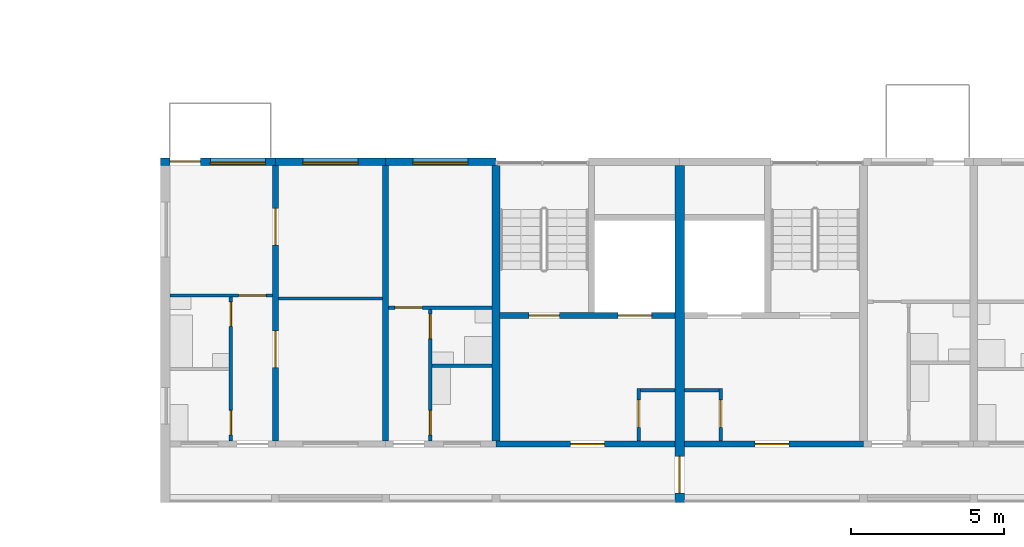
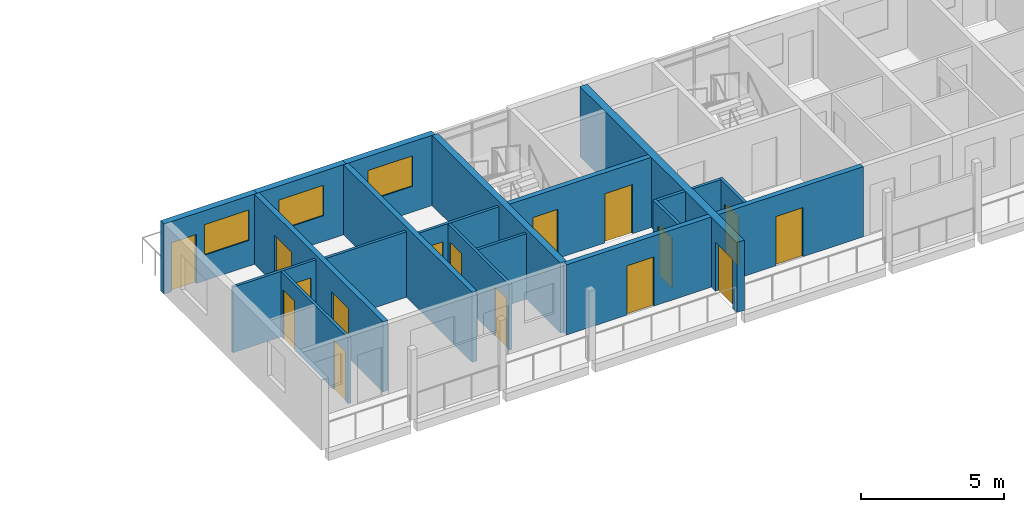
# One storey, part 44 of 99: 20 walls, 16 doors, 3 windows, 19 openings.
"""IFC4 building model written with IfcOpenShell, lengths in metres."""

from ifc_helpers import new_model, si_unit, direction, frame, frame_2d, origin, place, context, subcontext, project, spatial, rectangle, extrude, material, layer, layer_set, type_object, element, fill, save


model = new_model("IFC4")

# Units and contexts
model_context = context("Model", 3, precision=1e-05, world=origin(), true_north=direction((0.0, 1.0)))
body_context = subcontext(model_context, "Body", "Model", "MODEL_VIEW")
ifc_project = project(units=[si_unit("LENGTHUNIT", "METRE"), si_unit("AREAUNIT", "SQUARE_METRE"), si_unit("VOLUMEUNIT", "CUBIC_METRE"), si_unit("PLANEANGLEUNIT", "RADIAN"), si_unit("MASSUNIT", "GRAM", prefix="KILO")], contexts=[model_context])

# Site, building, storey
site_placement = place(None, origin())
site = spatial("IfcSite", under=ifc_project, at=site_placement, CompositionType="ELEMENT")
building_placement = place(site_placement, origin())
building = spatial("IfcBuilding", under=site, at=building_placement, Name="Ridgestep Commons", CompositionType="ELEMENT")
storey_placement = place(building_placement, frame((0.0, 0.0, 15.0)))
storey = spatial("IfcBuildingStorey", under=building, at=storey_placement, Name="L05", CompositionType="ELEMENT", Elevation=15.0)

# Wall
ifc_material_1 = material(Name="Concrete C30/37", Category="concrete")
ifc_layer_1 = layer(ifc_material_1, 0.25)
ifc_layer_set_1 = layer_set([ifc_layer_1], Name="Core cross wall 250")
wall_type_1 = type_object("IfcWallType", Name="Core cross wall 250", PredefinedType="SHEAR", material=ifc_layer_set_1)
wall_1_placement = place(storey_placement, frame((157.60009765625, 13.75, 0.0), z_axis=(0.0, 0.0, 1.0), x_axis=(0.0, 1.0, 0.0)))
element("IfcWall", 1, at=wall_1_placement, inside=storey, type_object=wall_type_1, Name="Cross wall D-05-1576", PredefinedType="SHEAR", context=body_context, shape_type="SweptSolid", body=[
    extrude(rectangle(XDim=9.0, YDim=0.25, at=frame_2d((4.5, 0.0))), origin(), (0.0, 0.0, 1.0), 3.0),
])

# Wall, opening, door
ifc_material_2 = material(Name="Concrete C30/37", Category="concrete")
ifc_layer_2 = layer(ifc_material_2, 0.199951171875)
ifc_layer_set_2 = layer_set([ifc_layer_2], Name="Core south wall 200")
wall_type_2 = type_object("IfcWallType", Name="Core south wall 200", PredefinedType="SHEAR", material=ifc_layer_set_2)
wall_2_placement = place(storey_placement, frame((157.60009765625, 13.64990234375, 0.0), z_axis=(0.0, 0.0, 1.0), x_axis=(1.0, 0.0, 0.0)))
wall_2 = element("IfcWall", 2, at=wall_2_placement, inside=storey, type_object=wall_type_2, Name="Core south wall D1C L05", PredefinedType="SHEAR", context=body_context, shape_type="SweptSolid", body=[
    extrude(rectangle(XDim=5.849853515625, YDim=0.199951171875, at=frame_2d((2.9248046875, 0.0))), origin(), (0.0, 0.0, 1.0), 3.0),
])
opening_1_placement = place(wall_2_placement, frame((2.4375, 0.0, 0.0)))
opening_1 = element("IfcOpeningElement", 3, at=opening_1_placement, cuts=wall_2, Name="Opening D1C/05/1", PredefinedType="OPENING", context=body_context, shape_type="SweptSolid", body=[
    extrude(rectangle(XDim=1.10009765625, YDim=2.10009765625, at=frame_2d((0.550048828125, 1.050048828125))), frame((0.0, 0.10986328125, 0.0), z_axis=(0.0, -1.0, 0.0), x_axis=(1.0, 0.0, 0.0)), (0.0, 0.0, 1.0), 0.219970703125),
])
ifc_material_3 = material(Name="Steel fire door", Category="steel")
door_type_1 = type_object("IfcDoorType", Name="Lobby door 1100 x 2100 FD60", OperationType="NOTDEFINED", PredefinedType="DOOR", material=ifc_material_3)
door_1_placement = place(opening_1_placement, origin())
door_1 = element("IfcDoor", 4, at=door_1_placement, inside=storey, type_object=door_type_1, Name="Lobby door D1C/05/1", OperationType="SINGLE_SWING_LEFT", OverallHeight=2.10009765625, OverallWidth=1.10009765625, PredefinedType="DOOR", context=body_context, shape_type="SweptSolid", body=[
    extrude(rectangle(XDim=1.10009765625, YDim=2.10009765625, at=frame_2d((0.550048828125, 1.050048828125))), frame((0.0, 0.02490234375, 0.0), z_axis=(0.0, -1.0, 0.0), x_axis=(1.0, 0.0, 0.0)), (0.0, 0.0, 1.0), 0.050048828125),
])
fill(opening_1, door_1)

wall_3_placement = place(storey_placement, frame((163.75, 13.64990234375, 0.0), z_axis=(0.0, 0.0, 1.0), x_axis=(1.0, 0.0, 0.0)))
wall_3 = element("IfcWall", 5, at=wall_3_placement, inside=storey, type_object=wall_type_2, Name="Core south wall D2C L05", PredefinedType="SHEAR", context=body_context, shape_type="SweptSolid", body=[
    extrude(rectangle(XDim=5.85009765625, YDim=0.199951171875, at=frame_2d((2.925048828125, 0.0))), origin(), (0.0, 0.0, 1.0), 3.0),
])
opening_2_placement = place(wall_3_placement, frame((2.3125, 0.0, 0.0)))
opening_2 = element("IfcOpeningElement", 6, at=opening_2_placement, cuts=wall_3, Name="Opening D2C/05/1", PredefinedType="OPENING", context=body_context, shape_type="SweptSolid", body=[
    extrude(rectangle(XDim=1.10009765625, YDim=2.10009765625, at=frame_2d((0.550048828125, 1.050048828125))), frame((0.0, 0.10986328125, 0.0), z_axis=(0.0, -1.0, 0.0), x_axis=(1.0, 0.0, 0.0)), (0.0, 0.0, 1.0), 0.219970703125),
])
door_2_placement = place(opening_2_placement, origin())
door_2 = element("IfcDoor", 7, at=door_2_placement, inside=storey, type_object=door_type_1, Name="Lobby door D2C/05/1", OperationType="SINGLE_SWING_LEFT", OverallHeight=2.10009765625, OverallWidth=1.10009765625, PredefinedType="DOOR", context=body_context, shape_type="SweptSolid", body=[
    extrude(rectangle(XDim=1.10009765625, YDim=2.10009765625, at=frame_2d((0.550048828125, 1.050048828125))), frame((0.0, 0.02490234375, 0.0), z_axis=(0.0, -1.0, 0.0), x_axis=(1.0, 0.0, 0.0)), (0.0, 0.0, 1.0), 0.050048828125),
])
fill(opening_2, door_2)

ifc_material_4 = material(Name="Concrete C30/37", Category="concrete")
ifc_layer_3 = layer(ifc_material_4, 0.1201171875)
ifc_layer_set_3 = layer_set([ifc_layer_3], Name="Core wall 120")
wall_type_3 = type_object("IfcWallType", Name="Core wall 120", PredefinedType="SHEAR", material=ifc_layer_set_3)
wall_4_placement = place(storey_placement, frame((162.260009765625, 13.75, 0.0), z_axis=(0.0, 0.0, 1.0), x_axis=(0.0, 1.0, 0.0)))
wall_4 = element("IfcWall", 8, at=wall_4_placement, inside=storey, type_object=wall_type_3, Name="Core riser w wall D1C L05", PredefinedType="SHEAR", context=body_context, shape_type="SweptSolid", body=[
    extrude(rectangle(XDim=1.719970703125, YDim=0.1201171875, at=frame_2d((0.85986328125, 0.0))), origin(), (0.0, 0.0, 1.0), 3.0),
])
opening_3_placement = place(wall_4_placement, frame((0.449951171875, 0.0, 0.0)))
opening_3 = element("IfcOpeningElement", 9, at=opening_3_placement, cuts=wall_4, Name="Opening D1C/05/4", PredefinedType="OPENING", context=body_context, shape_type="SweptSolid", body=[
    extrude(rectangle(XDim=0.89990234375, YDim=2.10009765625, at=frame_2d((0.449951171875, 1.050048828125))), frame((0.0, 0.070068359375, 0.0), z_axis=(0.0, -1.0, 0.0), x_axis=(1.0, 0.0, 0.0)), (0.0, 0.0, 1.0), 0.14013671875),
])
ifc_material_5 = material(Name="Steel fire door", Category="steel")
door_type_2 = type_object("IfcDoorType", Name="Riser door 900 x 2100 FD60", OperationType="NOTDEFINED", PredefinedType="DOOR", material=ifc_material_5)
door_3_placement = place(opening_3_placement, origin())
door_3 = element("IfcDoor", 10, at=door_3_placement, inside=storey, type_object=door_type_2, Name="Riser door D1C/05/4", OperationType="SINGLE_SWING_LEFT", OverallHeight=2.10009765625, OverallWidth=0.89990234375, PredefinedType="DOOR", context=body_context, shape_type="SweptSolid", body=[
    extrude(rectangle(XDim=0.89990234375, YDim=2.10009765625, at=frame_2d((0.449951171875, 1.050048828125))), frame((0.0, 0.02490234375, 0.0), z_axis=(0.0, -1.0, 0.0), x_axis=(1.0, 0.0, 0.0)), (0.0, 0.0, 1.0), 0.050048828125),
])
fill(opening_3, door_3)

# Wall
wall_5_placement = place(storey_placement, frame((162.320068359375, 15.409912109375, 0.0), z_axis=(0.0, 0.0, 1.0), x_axis=(1.0, 0.0, 0.0)))
element("IfcWall", 11, at=wall_5_placement, inside=storey, type_object=wall_type_3, Name="Core riser n wall D1C L05", PredefinedType="SHEAR", context=body_context, shape_type="SweptSolid", body=[
    extrude(rectangle(XDim=1.1298828125, YDim=0.1201171875, at=frame_2d((0.56494140625, 0.0))), origin(), (0.0, 0.0, 1.0), 3.0),
])

# Wall, opening, door
wall_6_placement = place(storey_placement, frame((164.93994140625, 13.75, 0.0), z_axis=(0.0, 0.0, 1.0), x_axis=(0.0, 1.0, 0.0)))
wall_6 = element("IfcWall", 12, at=wall_6_placement, inside=storey, type_object=wall_type_3, Name="Core riser w wall D2C L05", PredefinedType="SHEAR", context=body_context, shape_type="SweptSolid", body=[
    extrude(rectangle(XDim=1.719970703125, YDim=0.1201171875, at=frame_2d((0.85986328125, 0.0))), origin(), (0.0, 0.0, 1.0), 3.0),
])
opening_4_placement = place(wall_6_placement, frame((0.449951171875, 0.0, 0.0)))
opening_4 = element("IfcOpeningElement", 13, at=opening_4_placement, cuts=wall_6, Name="Opening D2C/05/4", PredefinedType="OPENING", context=body_context, shape_type="SweptSolid", body=[
    extrude(rectangle(XDim=0.89990234375, YDim=2.10009765625, at=frame_2d((0.449951171875, 1.050048828125))), frame((0.0, 0.070068359375, 0.0), z_axis=(0.0, -1.0, 0.0), x_axis=(1.0, 0.0, 0.0)), (0.0, 0.0, 1.0), 0.14013671875),
])
door_4_placement = place(opening_4_placement, origin())
door_4 = element("IfcDoor", 14, at=door_4_placement, inside=storey, type_object=door_type_2, Name="Riser door D2C/05/4", OperationType="SINGLE_SWING_RIGHT", OverallHeight=2.10009765625, OverallWidth=0.89990234375, PredefinedType="DOOR", context=body_context, shape_type="SweptSolid", body=[
    extrude(rectangle(XDim=0.89990234375, YDim=2.10009765625, at=frame_2d((0.449951171875, 1.050048828125))), frame((0.0, 0.02490234375, 0.0), z_axis=(0.0, -1.0, 0.0), x_axis=(1.0, 0.0, 0.0)), (0.0, 0.0, 1.0), 0.050048828125),
])
fill(opening_4, door_4)

# Wall
wall_7_placement = place(storey_placement, frame((163.75, 15.409912109375, 0.0), z_axis=(0.0, 0.0, 1.0), x_axis=(1.0, 0.0, 0.0)))
element("IfcWall", 15, at=wall_7_placement, inside=storey, type_object=wall_type_3, Name="Core riser n wall D2C L05", PredefinedType="SHEAR", context=body_context, shape_type="SweptSolid", body=[
    extrude(rectangle(XDim=1.1298828125, YDim=0.1201171875, at=frame_2d((0.56494140625, 0.0))), origin(), (0.0, 0.0, 1.0), 3.0),
])

# Wall, openings, doors
ifc_material_6 = material(Name="Concrete C30/37", Category="concrete")
ifc_layer_4 = layer(ifc_material_6, 0.199951171875)
ifc_layer_set_4 = layer_set([ifc_layer_4], Name="Core wall 200")
wall_type_4 = type_object("IfcWallType", Name="Core wall 200", PredefinedType="SHEAR", material=ifc_layer_set_4)
wall_8_placement = place(storey_placement, frame((157.72509765625, 17.85009765625, 0.0), z_axis=(0.0, 0.0, 1.0), x_axis=(1.0, 0.0, 0.0)))
wall_8 = element("IfcWall", 16, at=wall_8_placement, inside=storey, type_object=wall_type_4, Name="Core lobby wall D1C L05", PredefinedType="SHEAR", context=body_context, shape_type="SweptSolid", body=[
    extrude(rectangle(XDim=5.724853515625, YDim=0.199951171875, at=frame_2d((2.8623046875, 0.0))), origin(), (0.0, 0.0, 1.0), 3.0),
])
opening_5_placement = place(wall_8_placement, frame((0.949951171875, 0.0, 0.0)))
opening_5 = element("IfcOpeningElement", 17, at=opening_5_placement, cuts=wall_8, Name="Opening D1C/05/2", PredefinedType="OPENING", context=body_context, shape_type="SweptSolid", body=[
    extrude(rectangle(XDim=1.0, YDim=2.10009765625, at=frame_2d((0.5, 1.050048828125))), frame((0.0, 0.10986328125, 0.0), z_axis=(0.0, -1.0, 0.0), x_axis=(1.0, 0.0, 0.0)), (0.0, 0.0, 1.0), 0.219970703125),
])
opening_6_placement = place(wall_8_placement, frame((3.862548828125, 0.0, 0.0)))
opening_6 = element("IfcOpeningElement", 18, at=opening_6_placement, cuts=wall_8, Name="Opening D1C/05/3", PredefinedType="OPENING", context=body_context, shape_type="SweptSolid", body=[
    extrude(rectangle(XDim=1.10009765625, YDim=2.10009765625, at=frame_2d((0.550048828125, 1.050048828125))), frame((0.0, 0.10986328125, 0.0), z_axis=(0.0, -1.0, 0.0), x_axis=(1.0, 0.0, 0.0)), (0.0, 0.0, 1.0), 0.219970703125),
])
ifc_material_7 = material(Name="Stainless steel", Category="steel")
door_type_3 = type_object("IfcDoorType", Name="Lift landing door 1100 x 2100 FD60", OperationType="DOUBLE_DOOR_SLIDING", PredefinedType="DOOR", material=ifc_material_7)
door_5_placement = place(opening_6_placement, origin())
door_5 = element("IfcDoor", 19, at=door_5_placement, inside=storey, type_object=door_type_3, Name="Landing door LD D1C L05", OperationType="DOUBLE_DOOR_SLIDING", OverallHeight=2.10009765625, OverallWidth=1.10009765625, PredefinedType="DOOR", context=body_context, shape_type="SweptSolid", body=[
    extrude(rectangle(XDim=1.10009765625, YDim=2.10009765625, at=frame_2d((0.550048828125, 1.050048828125))), frame((0.0, 0.02490234375, 0.0), z_axis=(0.0, -1.0, 0.0), x_axis=(1.0, 0.0, 0.0)), (0.0, 0.0, 1.0), 0.050048828125),
])
fill(opening_6, door_5)
ifc_material_8 = material(Name="Steel fire door", Category="steel")
door_type_4 = type_object("IfcDoorType", Name="Stair door 1000 x 2100 FD60", OperationType="NOTDEFINED", PredefinedType="DOOR", material=ifc_material_8)
door_6_placement = place(opening_5_placement, origin())
door_6 = element("IfcDoor", 20, at=door_6_placement, inside=storey, type_object=door_type_4, Name="Stair door D1C/05/2", OperationType="SINGLE_SWING_RIGHT", OverallHeight=2.10009765625, OverallWidth=1.0, PredefinedType="DOOR", context=body_context, shape_type="SweptSolid", body=[
    extrude(rectangle(XDim=1.0, YDim=2.10009765625, at=frame_2d((0.5, 1.050048828125))), frame((0.0, 0.02490234375, 0.0), z_axis=(0.0, -1.0, 0.0), x_axis=(1.0, 0.0, 0.0)), (0.0, 0.0, 1.0), 0.050048828125),
])
fill(opening_5, door_6)

ifc_material_9 = material(Name="Precast concrete C40/50", Category="concrete")
ifc_layer_5 = layer(ifc_material_9, 0.199951171875)
ifc_layer_set_5 = layer_set([ifc_layer_5], Name="Cross wall 200")
wall_type_5 = type_object("IfcWallType", Name="Cross wall 200", PredefinedType="SHEAR", material=ifc_layer_set_5)
wall_9_placement = place(storey_placement, frame((150.39990234375, 13.75, 0.0), z_axis=(0.0, 0.0, 1.0), x_axis=(0.0, 1.0, 0.0)))
wall_9 = element("IfcWall", 21, at=wall_9_placement, inside=storey, type_object=wall_type_5, Name="Cross wall D-05-1504", PredefinedType="SHEAR", context=body_context, shape_type="SweptSolid", body=[
    extrude(rectangle(XDim=9.0, YDim=0.199951171875, at=frame_2d((4.5, 0.0))), origin(), (0.0, 0.0, 1.0), 3.0),
])
opening_7_placement = place(wall_9_placement, frame((2.39990234375, 0.0, 0.0)))
opening_7 = element("IfcOpeningElement", 22, at=opening_7_placement, cuts=wall_9, Name="Opening D1-05a/5", PredefinedType="OPENING", context=body_context, shape_type="SweptSolid", body=[
    extrude(rectangle(XDim=1.199951171875, YDim=2.10009765625, at=frame_2d((0.60009765625, 1.050048828125))), frame((0.0, 0.10986328125, 0.0), z_axis=(0.0, -1.0, 0.0), x_axis=(1.0, 0.0, 0.0)), (0.0, 0.0, 1.0), 0.219970703125),
])
opening_8_placement = place(wall_9_placement, frame((6.39990234375, 0.0, 0.0)))
opening_8 = element("IfcOpeningElement", 23, at=opening_8_placement, cuts=wall_9, Name="Opening D1-05a/6", PredefinedType="OPENING", context=body_context, shape_type="SweptSolid", body=[
    extrude(rectangle(XDim=1.199951171875, YDim=2.10009765625, at=frame_2d((0.60009765625, 1.050048828125))), frame((0.0, 0.10986328125, 0.0), z_axis=(0.0, -1.0, 0.0), x_axis=(1.0, 0.0, 0.0)), (0.0, 0.0, 1.0), 0.219970703125),
])
ifc_material_10 = material(Name="Timber door leaf", Category="wood")
door_type_5 = type_object("IfcDoorType", Name="Double door 1200 x 2100", OperationType="DOUBLE_DOOR_SINGLE_SWING", PredefinedType="DOOR", material=ifc_material_10)
door_7_placement = place(opening_7_placement, origin())
door_7 = element("IfcDoor", 24, at=door_7_placement, inside=storey, type_object=door_type_5, Name="Double door D1-05a/5", OperationType="DOUBLE_DOOR_SINGLE_SWING", OverallHeight=2.10009765625, OverallWidth=1.199951171875, PredefinedType="DOOR", context=body_context, shape_type="SweptSolid", body=[
    extrude(rectangle(XDim=1.199951171875, YDim=2.10009765625, at=frame_2d((0.60009765625, 1.050048828125))), frame((0.0, 0.02490234375, 0.0), z_axis=(0.0, -1.0, 0.0), x_axis=(1.0, 0.0, 0.0)), (0.0, 0.0, 1.0), 0.050048828125),
])
fill(opening_7, door_7)
door_8_placement = place(opening_8_placement, origin())
door_8 = element("IfcDoor", 25, at=door_8_placement, inside=storey, type_object=door_type_5, Name="Double door D1-05a/6", OperationType="DOUBLE_DOOR_SINGLE_SWING", OverallHeight=2.10009765625, OverallWidth=1.199951171875, PredefinedType="DOOR", context=body_context, shape_type="SweptSolid", body=[
    extrude(rectangle(XDim=1.199951171875, YDim=2.10009765625, at=frame_2d((0.60009765625, 1.050048828125))), frame((0.0, 0.02490234375, 0.0), z_axis=(0.0, -1.0, 0.0), x_axis=(1.0, 0.0, 0.0)), (0.0, 0.0, 1.0), 0.050048828125),
])
fill(opening_8, door_8)

# Wall
wall_10_placement = place(storey_placement, frame((154.0, 13.75, 0.0), z_axis=(0.0, 0.0, 1.0), x_axis=(0.0, 1.0, 0.0)))
element("IfcWall", 26, at=wall_10_placement, inside=storey, type_object=wall_type_5, Name="Cross wall D-05-1540", PredefinedType="SHEAR", context=body_context, shape_type="SweptSolid", body=[
    extrude(rectangle(XDim=9.0, YDim=0.199951171875, at=frame_2d((4.5, 0.0))), origin(), (0.0, 0.0, 1.0), 3.0),
])

# Wall, opening, door
ifc_material_11 = material(Name="Precast concrete C40/50", Category="concrete")
ifc_layer_6 = layer(ifc_material_11, 0.300048828125)
ifc_layer_set_6 = layer_set([ifc_layer_6], Name="Division wall 300")
wall_type_6 = type_object("IfcWallType", Name="Division wall 300", PredefinedType="SHEAR", material=ifc_layer_set_6)
wall_11_placement = place(storey_placement, frame((163.60009765625, 11.75, 0.0), z_axis=(0.0, 0.0, 1.0), x_axis=(0.0, 1.0, 0.0)))
wall_11 = element("IfcWall", 27, at=wall_11_placement, inside=storey, type_object=wall_type_6, Name="Cross wall D-05-1636", PredefinedType="SHEAR", context=body_context, shape_type="SweptSolid", body=[
    extrude(rectangle(XDim=11.0, YDim=0.300048828125, at=frame_2d((5.5, 0.0))), origin(), (0.0, 0.0, 1.0), 3.0),
])
opening_9_placement = place(wall_11_placement, frame((0.300048828125, 0.0, 0.0)))
opening_9 = element("IfcOpeningElement", 28, at=opening_9_placement, cuts=wall_11, Name="Opening D/05/G1636", PredefinedType="OPENING", context=body_context, shape_type="SweptSolid", body=[
    extrude(rectangle(XDim=1.199951171875, YDim=2.10009765625, at=frame_2d((0.60009765625, 1.050048828125))), frame((0.0, 0.159912109375, 0.0), z_axis=(0.0, -1.0, 0.0), x_axis=(1.0, 0.0, 0.0)), (0.0, 0.0, 1.0), 0.320068359375),
])
ifc_material_12 = material(Name="Steel fire door", Category="steel")
door_type_6 = type_object("IfcDoorType", Name="Division fire door 1200 x 2100 EI 240", OperationType="DOUBLE_DOOR_SINGLE_SWING", PredefinedType="DOOR", material=ifc_material_12)
door_9_placement = place(opening_9_placement, origin())
door_9 = element("IfcDoor", 29, at=door_9_placement, inside=storey, type_object=door_type_6, Name="Division fire door D/05/G1636", OperationType="DOUBLE_DOOR_SINGLE_SWING", OverallHeight=2.10009765625, OverallWidth=1.199951171875, PredefinedType="DOOR", context=body_context, shape_type="SweptSolid", body=[
    extrude(rectangle(XDim=1.199951171875, YDim=2.10009765625, at=frame_2d((0.60009765625, 1.050048828125))), frame((0.0, 0.02490234375, 0.0), z_axis=(0.0, -1.0, 0.0), x_axis=(1.0, 0.0, 0.0)), (0.0, 0.0, 1.0), 0.050048828125),
])
fill(opening_9, door_9)

# Wall, openings, door, window
ifc_material_13 = material(Name="Precast concrete C40/50", Category="concrete")
ifc_layer_7 = layer(ifc_material_13, 0.25)
ifc_layer_set_7 = layer_set([ifc_layer_7], Name="North facade panel 250")
wall_type_7 = type_object("IfcWallType", Name="North facade panel 250", PredefinedType="SOLIDWALL", material=ifc_layer_set_7)
wall_12_placement = place(storey_placement, frame((146.64990234375, 22.875, 0.0), z_axis=(0.0, 0.0, 1.0), x_axis=(1.0, 0.0, 0.0)))
wall_12 = element("IfcWall", 30, at=wall_12_placement, inside=storey, type_object=wall_type_7, Name="North panel D1T1 L05", PredefinedType="SOLIDWALL", context=body_context, shape_type="SweptSolid", body=[
    extrude(rectangle(XDim=3.75, YDim=0.25, at=frame_2d((1.875, 0.0))), origin(), (0.0, 0.0, 1.0), 3.0),
])
opening_10_placement = place(wall_12_placement, frame((1.625, 0.0, 1.10009765625)))
opening_10 = element("IfcOpeningElement", 31, at=opening_10_placement, cuts=wall_12, Name="Opening W18", PredefinedType="OPENING", context=body_context, shape_type="SweptSolid", body=[
    extrude(rectangle(XDim=1.800048828125, YDim=1.300048828125, at=frame_2d((0.89990234375, 0.64990234375))), frame((0.0, 0.135009765625, 0.0), z_axis=(0.0, -1.0, 0.0), x_axis=(1.0, 0.0, 0.0)), (0.0, 0.0, 1.0), 0.27001953125),
])
opening_11_placement = place(wall_12_placement, frame((0.300048828125, 0.0, 0.0)))
opening_11 = element("IfcOpeningElement", 32, at=opening_11_placement, cuts=wall_12, Name="Opening D1-05a/7", PredefinedType="OPENING", context=body_context, shape_type="SweptSolid", body=[
    extrude(rectangle(XDim=1.0, YDim=2.10009765625, at=frame_2d((0.5, 1.050048828125))), frame((0.0, 0.135009765625, 0.0), z_axis=(0.0, -1.0, 0.0), x_axis=(1.0, 0.0, 0.0)), (0.0, 0.0, 1.0), 0.27001953125),
])
ifc_material_14 = material(Name="Aluminium and glass", Category="aluminium")
door_type_7 = type_object("IfcDoorType", Name="Balcony door 1000 x 2100", OperationType="NOTDEFINED", PredefinedType="DOOR", material=ifc_material_14)
door_10_placement = place(opening_11_placement, origin())
door_10 = element("IfcDoor", 33, at=door_10_placement, inside=storey, type_object=door_type_7, Name="Balcony door D1-05a/7", OperationType="SINGLE_SWING_RIGHT", OverallHeight=2.10009765625, OverallWidth=1.0, PredefinedType="DOOR", context=body_context, shape_type="SweptSolid", body=[
    extrude(rectangle(XDim=1.0, YDim=2.10009765625, at=frame_2d((0.5, 1.050048828125))), frame((0.0, 0.02490234375, 0.0), z_axis=(0.0, -1.0, 0.0), x_axis=(1.0, 0.0, 0.0)), (0.0, 0.0, 1.0), 0.050048828125),
])
fill(opening_11, door_10)
ifc_material_15 = material(Name="Aluminium 6063-T6 and glass", Category="aluminium")
window_type = type_object("IfcWindowType", Name="Flat window 1800 x 1300", PartitioningType="DOUBLE_PANEL_VERTICAL", PredefinedType="WINDOW", material=ifc_material_15)
window_1_placement = place(opening_10_placement, origin())
window_1 = element("IfcWindow", 34, at=window_1_placement, inside=storey, type_object=window_type, Name="Window D1-05a 4", OverallHeight=1.300048828125, OverallWidth=1.800048828125, PartitioningType="SINGLE_PANEL", PredefinedType="WINDOW", context=body_context, shape_type="SweptSolid", body=[
    extrude(rectangle(XDim=1.800048828125, YDim=1.300048828125, at=frame_2d((0.89990234375, 0.64990234375))), frame((0.0, -0.02490234375, 0.0), z_axis=(0.0, -1.0, 0.0), x_axis=(1.0, 0.0, 0.0)), (0.0, 0.0, 1.0), 0.06005859375),
])
fill(opening_10, window_1)

# Wall, opening, window
wall_13_placement = place(storey_placement, frame((150.39990234375, 22.875, 0.0), z_axis=(0.0, 0.0, 1.0), x_axis=(1.0, 0.0, 0.0)))
wall_13 = element("IfcWall", 35, at=wall_13_placement, inside=storey, type_object=wall_type_7, Name="North panel D1T2 L05", PredefinedType="SOLIDWALL", context=body_context, shape_type="SweptSolid", body=[
    extrude(rectangle(XDim=3.60009765625, YDim=0.25, at=frame_2d((1.800048828125, 0.0))), origin(), (0.0, 0.0, 1.0), 3.0),
])
opening_12_placement = place(wall_13_placement, frame((0.89990234375, 0.0, 1.10009765625)))
opening_12 = element("IfcOpeningElement", 36, at=opening_12_placement, cuts=wall_13, Name="Opening W18", PredefinedType="OPENING", context=body_context, shape_type="SweptSolid", body=[
    extrude(rectangle(XDim=1.800048828125, YDim=1.300048828125, at=frame_2d((0.89990234375, 0.64990234375))), frame((0.0, 0.135009765625, 0.0), z_axis=(0.0, -1.0, 0.0), x_axis=(1.0, 0.0, 0.0)), (0.0, 0.0, 1.0), 0.27001953125),
])
window_2_placement = place(opening_12_placement, origin())
window_2 = element("IfcWindow", 37, at=window_2_placement, inside=storey, type_object=window_type, Name="Window D1-05a 2", OverallHeight=1.300048828125, OverallWidth=1.800048828125, PartitioningType="SINGLE_PANEL", PredefinedType="WINDOW", context=body_context, shape_type="SweptSolid", body=[
    extrude(rectangle(XDim=1.800048828125, YDim=1.300048828125, at=frame_2d((0.89990234375, 0.64990234375))), frame((0.0, -0.02490234375, 0.0), z_axis=(0.0, -1.0, 0.0), x_axis=(1.0, 0.0, 0.0)), (0.0, 0.0, 1.0), 0.06005859375),
])
fill(opening_12, window_2)

wall_14_placement = place(storey_placement, frame((154.0, 22.875, 0.0), z_axis=(0.0, 0.0, 1.0), x_axis=(1.0, 0.0, 0.0)))
wall_14 = element("IfcWall", 38, at=wall_14_placement, inside=storey, type_object=wall_type_7, Name="North panel D1T3 L05", PredefinedType="SOLIDWALL", context=body_context, shape_type="SweptSolid", body=[
    extrude(rectangle(XDim=3.60009765625, YDim=0.25, at=frame_2d((1.800048828125, 0.0))), origin(), (0.0, 0.0, 1.0), 3.0),
])
opening_13_placement = place(wall_14_placement, frame((0.887451171875, 0.0, 1.10009765625)))
opening_13 = element("IfcOpeningElement", 39, at=opening_13_placement, cuts=wall_14, Name="Opening W18", PredefinedType="OPENING", context=body_context, shape_type="SweptSolid", body=[
    extrude(rectangle(XDim=1.800048828125, YDim=1.300048828125, at=frame_2d((0.89990234375, 0.64990234375))), frame((0.0, 0.135009765625, 0.0), z_axis=(0.0, -1.0, 0.0), x_axis=(1.0, 0.0, 0.0)), (0.0, 0.0, 1.0), 0.27001953125),
])
window_3_placement = place(opening_13_placement, origin())
window_3 = element("IfcWindow", 40, at=window_3_placement, inside=storey, type_object=window_type, Name="Window D1-05b 2", OverallHeight=1.300048828125, OverallWidth=1.800048828125, PartitioningType="SINGLE_PANEL", PredefinedType="WINDOW", context=body_context, shape_type="SweptSolid", body=[
    extrude(rectangle(XDim=1.800048828125, YDim=1.300048828125, at=frame_2d((0.89990234375, 0.64990234375))), frame((0.0, -0.02490234375, 0.0), z_axis=(0.0, -1.0, 0.0), x_axis=(1.0, 0.0, 0.0)), (0.0, 0.0, 1.0), 0.06005859375),
])
fill(opening_13, window_3)

# Wall, openings, doors
ifc_material_16 = material(Name="Common brick 110 mm", Category="masonry")
ifc_layer_8 = layer(ifc_material_16, 0.110107421875)
ifc_layer_set_8 = layer_set([ifc_layer_8], Name="Partition 110")
wall_type_8 = type_object("IfcWallType", Name="Partition 110", PredefinedType="PARTITIONING", material=ifc_layer_set_8)
wall_15_placement = place(storey_placement, frame((148.945068359375, 13.75, 0.0), z_axis=(0.0, 0.0, 1.0), x_axis=(0.0, 1.0, 0.0)))
wall_15 = element("IfcWall", 41, at=wall_15_placement, inside=storey, type_object=wall_type_8, Name="Partition D1-05a", PredefinedType="PARTITIONING", context=body_context, shape_type="SweptSolid", body=[
    extrude(rectangle(XDim=4.699951171875, YDim=0.110107421875, at=frame_2d((2.35009765625, 0.0))), origin(), (0.0, 0.0, 1.0), 2.800048828125),
])
opening_14_placement = place(wall_15_placement, frame((0.199951171875, 0.0, 0.0)))
opening_14 = element("IfcOpeningElement", 42, at=opening_14_placement, cuts=wall_15, Name="Opening D1-05a/2", PredefinedType="OPENING", context=body_context, shape_type="SweptSolid", body=[
    extrude(rectangle(XDim=0.800048828125, YDim=2.10009765625, at=frame_2d((0.39990234375, 1.050048828125))), frame((0.0, 0.06494140625, 0.0), z_axis=(0.0, -1.0, 0.0), x_axis=(1.0, 0.0, 0.0)), (0.0, 0.0, 1.0), 0.130126953125),
])
opening_15_placement = place(wall_15_placement, frame((3.75, 0.0, 0.0)))
opening_15 = element("IfcOpeningElement", 43, at=opening_15_placement, cuts=wall_15, Name="Opening D1-05a/3", PredefinedType="OPENING", context=body_context, shape_type="SweptSolid", body=[
    extrude(rectangle(XDim=0.800048828125, YDim=2.10009765625, at=frame_2d((0.39990234375, 1.050048828125))), frame((0.0, 0.06494140625, 0.0), z_axis=(0.0, -1.0, 0.0), x_axis=(1.0, 0.0, 0.0)), (0.0, 0.0, 1.0), 0.130126953125),
])
ifc_material_17 = material(Name="Timber door leaf", Category="wood")
door_type_8 = type_object("IfcDoorType", Name="Internal door 800 x 2100", OperationType="NOTDEFINED", PredefinedType="DOOR", material=ifc_material_17)
door_11_placement = place(opening_14_placement, origin())
door_11 = element("IfcDoor", 44, at=door_11_placement, inside=storey, type_object=door_type_8, Name="Internal door D1-05a/2", OperationType="SINGLE_SWING_LEFT", OverallHeight=2.10009765625, OverallWidth=0.800048828125, PredefinedType="DOOR", context=body_context, shape_type="SweptSolid", body=[
    extrude(rectangle(XDim=0.800048828125, YDim=2.10009765625, at=frame_2d((0.39990234375, 1.050048828125))), frame((0.0, 0.02490234375, 0.0), z_axis=(0.0, -1.0, 0.0), x_axis=(1.0, 0.0, 0.0)), (0.0, 0.0, 1.0), 0.050048828125),
])
fill(opening_14, door_11)
door_12_placement = place(opening_15_placement, origin())
door_12 = element("IfcDoor", 45, at=door_12_placement, inside=storey, type_object=door_type_8, Name="Internal door D1-05a/3", OperationType="SINGLE_SWING_RIGHT", OverallHeight=2.10009765625, OverallWidth=0.800048828125, PredefinedType="DOOR", context=body_context, shape_type="SweptSolid", body=[
    extrude(rectangle(XDim=0.800048828125, YDim=2.10009765625, at=frame_2d((0.39990234375, 1.050048828125))), frame((0.0, 0.02490234375, 0.0), z_axis=(0.0, -1.0, 0.0), x_axis=(1.0, 0.0, 0.0)), (0.0, 0.0, 1.0), 0.050048828125),
])
fill(opening_15, door_12)

# Wall, opening, door
wall_16_placement = place(storey_placement, frame((146.949951171875, 18.5048828125, 0.0), z_axis=(0.0, 0.0, 1.0), x_axis=(1.0, 0.0, 0.0)))
wall_16 = element("IfcWall", 46, at=wall_16_placement, inside=storey, type_object=wall_type_8, Name="Partition D1-05a", PredefinedType="PARTITIONING", context=body_context, shape_type="SweptSolid", body=[
    extrude(rectangle(XDim=3.35009765625, YDim=0.110107421875, at=frame_2d((1.675048828125, 0.0))), origin(), (0.0, 0.0, 1.0), 2.800048828125),
])
opening_16_placement = place(wall_16_placement, frame((2.25, 0.0, 0.0)))
opening_16 = element("IfcOpeningElement", 47, at=opening_16_placement, cuts=wall_16, Name="Opening D1-05a/4", PredefinedType="OPENING", context=body_context, shape_type="SweptSolid", body=[
    extrude(rectangle(XDim=0.89990234375, YDim=2.10009765625, at=frame_2d((0.449951171875, 1.050048828125))), frame((0.0, 0.06494140625, 0.0), z_axis=(0.0, -1.0, 0.0), x_axis=(1.0, 0.0, 0.0)), (0.0, 0.0, 1.0), 0.130126953125),
])
ifc_material_18 = material(Name="Timber door leaf", Category="wood")
door_type_9 = type_object("IfcDoorType", Name="Internal door 900 x 2100", OperationType="NOTDEFINED", PredefinedType="DOOR", material=ifc_material_18)
door_13_placement = place(opening_16_placement, origin())
door_13 = element("IfcDoor", 48, at=door_13_placement, inside=storey, type_object=door_type_9, Name="Internal door D1-05a/4", OperationType="SINGLE_SWING_LEFT", OverallHeight=2.10009765625, OverallWidth=0.89990234375, PredefinedType="DOOR", context=body_context, shape_type="SweptSolid", body=[
    extrude(rectangle(XDim=0.89990234375, YDim=2.10009765625, at=frame_2d((0.449951171875, 1.050048828125))), frame((0.0, 0.02490234375, 0.0), z_axis=(0.0, -1.0, 0.0), x_axis=(1.0, 0.0, 0.0)), (0.0, 0.0, 1.0), 0.050048828125),
])
fill(opening_16, door_13)

# Wall
wall_17_placement = place(storey_placement, frame((150.5, 18.405029296875, 0.0), z_axis=(0.0, 0.0, 1.0), x_axis=(1.0, 0.0, 0.0)))
element("IfcWall", 49, at=wall_17_placement, inside=storey, type_object=wall_type_8, Name="Partition D1-05a", PredefinedType="PARTITIONING", context=body_context, shape_type="SweptSolid", body=[
    extrude(rectangle(XDim=3.39990234375, YDim=0.110107421875, at=frame_2d((1.699951171875, 0.0))), origin(), (0.0, 0.0, 1.0), 2.800048828125),
])

# Wall, openings, doors
wall_18_placement = place(storey_placement, frame((155.455078125, 13.75, 0.0), z_axis=(0.0, 0.0, 1.0), x_axis=(0.0, 1.0, 0.0)))
wall_18 = element("IfcWall", 50, at=wall_18_placement, inside=storey, type_object=wall_type_8, Name="Partition D1-05b", PredefinedType="PARTITIONING", context=body_context, shape_type="SweptSolid", body=[
    extrude(rectangle(XDim=4.300048828125, YDim=0.110107421875, at=frame_2d((2.14990234375, 0.0))), origin(), (0.0, 0.0, 1.0), 2.800048828125),
])
opening_17_placement = place(wall_18_placement, frame((0.199951171875, 0.0, 0.0)))
opening_17 = element("IfcOpeningElement", 51, at=opening_17_placement, cuts=wall_18, Name="Opening D1-05b/2", PredefinedType="OPENING", context=body_context, shape_type="SweptSolid", body=[
    extrude(rectangle(XDim=0.800048828125, YDim=2.10009765625, at=frame_2d((0.39990234375, 1.050048828125))), frame((0.0, 0.06494140625, 0.0), z_axis=(0.0, -1.0, 0.0), x_axis=(1.0, 0.0, 0.0)), (0.0, 0.0, 1.0), 0.130126953125),
])
opening_18_placement = place(wall_18_placement, frame((3.35009765625, 0.0, 0.0)))
opening_18 = element("IfcOpeningElement", 52, at=opening_18_placement, cuts=wall_18, Name="Opening D1-05b/3", PredefinedType="OPENING", context=body_context, shape_type="SweptSolid", body=[
    extrude(rectangle(XDim=0.800048828125, YDim=2.10009765625, at=frame_2d((0.39990234375, 1.050048828125))), frame((0.0, 0.06494140625, 0.0), z_axis=(0.0, -1.0, 0.0), x_axis=(1.0, 0.0, 0.0)), (0.0, 0.0, 1.0), 0.130126953125),
])
door_14_placement = place(opening_17_placement, origin())
door_14 = element("IfcDoor", 53, at=door_14_placement, inside=storey, type_object=door_type_8, Name="Internal door D1-05b/2", OperationType="SINGLE_SWING_RIGHT", OverallHeight=2.10009765625, OverallWidth=0.800048828125, PredefinedType="DOOR", context=body_context, shape_type="SweptSolid", body=[
    extrude(rectangle(XDim=0.800048828125, YDim=2.10009765625, at=frame_2d((0.39990234375, 1.050048828125))), frame((0.0, 0.02490234375, 0.0), z_axis=(0.0, -1.0, 0.0), x_axis=(1.0, 0.0, 0.0)), (0.0, 0.0, 1.0), 0.050048828125),
])
fill(opening_17, door_14)
door_15_placement = place(opening_18_placement, origin())
door_15 = element("IfcDoor", 54, at=door_15_placement, inside=storey, type_object=door_type_8, Name="Internal door D1-05b/3", OperationType="SINGLE_SWING_LEFT", OverallHeight=2.10009765625, OverallWidth=0.800048828125, PredefinedType="DOOR", context=body_context, shape_type="SweptSolid", body=[
    extrude(rectangle(XDim=0.800048828125, YDim=2.10009765625, at=frame_2d((0.39990234375, 1.050048828125))), frame((0.0, 0.02490234375, 0.0), z_axis=(0.0, -1.0, 0.0), x_axis=(1.0, 0.0, 0.0)), (0.0, 0.0, 1.0), 0.050048828125),
])
fill(opening_18, door_15)

# Wall
wall_19_placement = place(storey_placement, frame((155.510009765625, 16.205078125, 0.0), z_axis=(0.0, 0.0, 1.0), x_axis=(1.0, 0.0, 0.0)))
element("IfcWall", 55, at=wall_19_placement, inside=storey, type_object=wall_type_8, Name="Partition D1-05b", PredefinedType="PARTITIONING", context=body_context, shape_type="SweptSolid", body=[
    extrude(rectangle(XDim=1.965087890625, YDim=0.110107421875, at=frame_2d((0.982421875, 0.0))), origin(), (0.0, 0.0, 1.0), 2.800048828125),
])

# Wall, opening, door
wall_20_placement = place(storey_placement, frame((154.10009765625, 18.10498046875, 0.0), z_axis=(0.0, 0.0, 1.0), x_axis=(1.0, 0.0, 0.0)))
wall_20 = element("IfcWall", 56, at=wall_20_placement, inside=storey, type_object=wall_type_8, Name="Partition D1-05b", PredefinedType="PARTITIONING", context=body_context, shape_type="SweptSolid", body=[
    extrude(rectangle(XDim=3.375, YDim=0.110107421875, at=frame_2d((1.6875, 0.0))), origin(), (0.0, 0.0, 1.0), 2.800048828125),
])
opening_19_placement = place(wall_20_placement, frame((0.199951171875, 0.0, 0.0)))
opening_19 = element("IfcOpeningElement", 57, at=opening_19_placement, cuts=wall_20, Name="Opening D1-05b/4", PredefinedType="OPENING", context=body_context, shape_type="SweptSolid", body=[
    extrude(rectangle(XDim=0.89990234375, YDim=2.10009765625, at=frame_2d((0.449951171875, 1.050048828125))), frame((0.0, 0.06494140625, 0.0), z_axis=(0.0, -1.0, 0.0), x_axis=(1.0, 0.0, 0.0)), (0.0, 0.0, 1.0), 0.130126953125),
])
door_16_placement = place(opening_19_placement, origin())
door_16 = element("IfcDoor", 58, at=door_16_placement, inside=storey, type_object=door_type_9, Name="Internal door D1-05b/4", OperationType="SINGLE_SWING_LEFT", OverallHeight=2.10009765625, OverallWidth=0.89990234375, PredefinedType="DOOR", context=body_context, shape_type="SweptSolid", body=[
    extrude(rectangle(XDim=0.89990234375, YDim=2.10009765625, at=frame_2d((0.449951171875, 1.050048828125))), frame((0.0, 0.02490234375, 0.0), z_axis=(0.0, -1.0, 0.0), x_axis=(1.0, 0.0, 0.0)), (0.0, 0.0, 1.0), 0.050048828125),
])
fill(opening_19, door_16)

save(model, "model.ifc")
